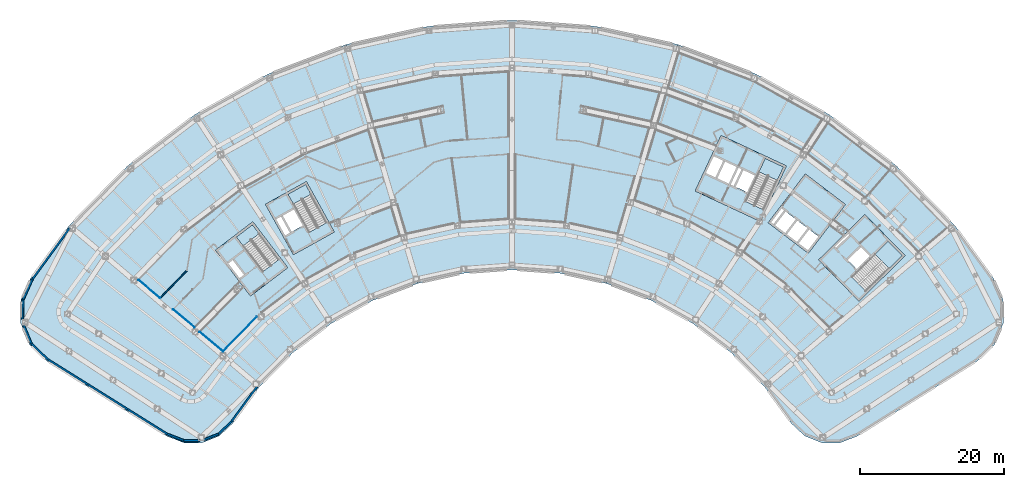
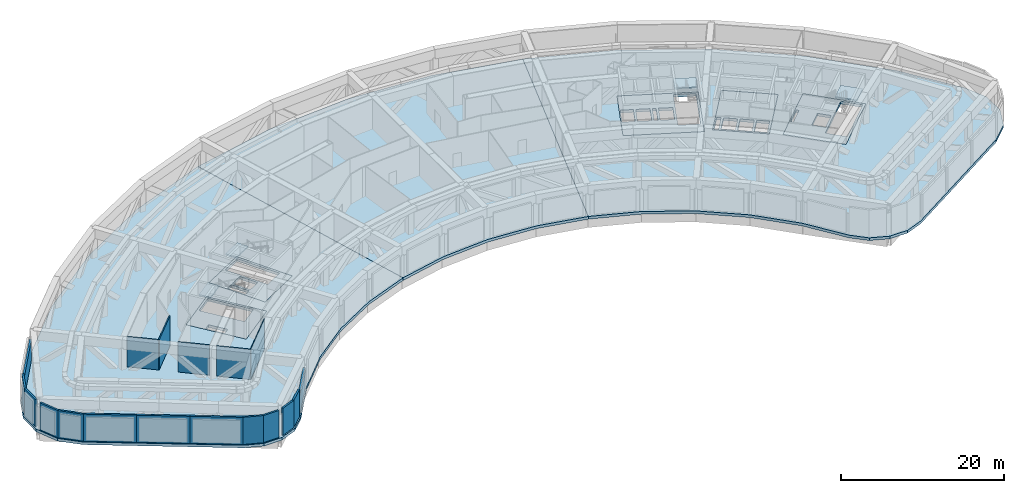
# One storey, part 9 of 30: 18 walls, 12 slabs, 4 elements without a shape of their own.
"""IFC4 building model written with IfcOpenShell, lengths in metres."""

from ifc_helpers import new_model, si_unit, direction, frame, frame_2d, origin, place, context, subcontext, project, spatial, polyline, rectangle, outline, extrude, material, layer, layer_set, type_object, element, aggregate, save


model = new_model("IFC4")

# Units and contexts
model_context = context("Model", 3, precision=1e-05, world=origin(), true_north=direction((0.0, 1.0)))
body_context = subcontext(model_context, "Body", "Model", "MODEL_VIEW")
ifc_project = project(units=[si_unit("LENGTHUNIT", "METRE"), si_unit("AREAUNIT", "SQUARE_METRE"), si_unit("VOLUMEUNIT", "CUBIC_METRE"), si_unit("PLANEANGLEUNIT", "RADIAN"), si_unit("MASSUNIT", "GRAM", prefix="KILO")], contexts=[model_context])

# Site, building, storey
site_placement = place(None, origin())
site = spatial("IfcSite", under=ifc_project, at=site_placement, CompositionType="ELEMENT")
building_placement = place(site_placement, origin())
building = spatial("IfcBuilding", under=site, at=building_placement, Name="Tuul Gate Civic Tower", CompositionType="ELEMENT")
storey_placement = place(building_placement, frame((0.0, 0.0, 26.699951171875)))
storey = spatial("IfcBuildingStorey", under=building, at=storey_placement, Name="Plant and refuge floor 1", CompositionType="ELEMENT", Elevation=26.699951171875)

# Slabs
ifc_material_1 = material(Name="Concrete C40/50", Category="concrete")
ifc_layer_1 = layer(ifc_material_1, 0.39990234375)
ifc_layer_set_1 = layer_set([ifc_layer_1], Name="Concrete C40/50")
slab_type_1 = type_object("IfcSlabType", Name="Core floor slab 400", PredefinedType="FLOOR", material=ifc_layer_set_1)
slab_1_placement = place(storey_placement, frame((0.0, 0.0, -0.400146484375)))
element("IfcSlab", 1, at=slab_1_placement, inside=storey, type_object=slab_type_1, Name="FLOOR SLAB", PredefinedType="FLOOR", context=body_context, shape_type="SweptSolid", body=[
    extrude(outline(polyline([(-31.10009765625, -13.7890625), (-35.946044921875, -7.423828125), (-41.11767578125, -11.361572265625), (-36.271484375, -17.726806640625), (-31.10009765625, -13.7890625)]), holes=[polyline([(-37.19287109375, -14.783203125), (-38.737548828125, -12.75439453125), (-39.45361328125, -13.299560546875), (-37.908935546875, -15.328369140625), (-37.19287109375, -14.783203125)]), polyline([(-32.33935546875, -12.65771484375), (-34.56591796875, -14.352783203125), (-38.229736328125, -9.54052734375), (-36.003173828125, -7.845458984375), (-32.33935546875, -12.65771484375)])]), origin(), (0.0, 0.0, 1.0), 0.400146484375),
])
slab_2_placement = place(storey_placement, frame((0.0, 0.0, -0.400146484375)))
element("IfcSlab", 2, at=slab_2_placement, inside=storey, type_object=slab_type_1, Name="FLOOR SLAB", PredefinedType="FLOOR", context=body_context, shape_type="SweptSolid", body=[
    extrude(outline(polyline([(-24.638916015625, -8.846923828125), (-28.51708984375, -1.849853515625), (-34.2021484375, -5.0009765625), (-30.32421875, -11.998046875), (-24.638916015625, -8.846923828125)]), holes=[polyline([(-29.0185546875, -7.958740234375), (-30.254638671875, -5.728515625), (-31.785400390625, -6.576904296875), (-30.54931640625, -8.80712890625), (-29.0185546875, -7.958740234375)]), polyline([(-30.8115234375, -8.95263671875), (-32.047607421875, -6.72216796875), (-32.8349609375, -7.158447265625), (-31.5986328125, -9.388916015625), (-30.8115234375, -8.95263671875)]), polyline([(-25.702392578125, -7.548828125), (-28.14990234375, -8.905517578125), (-31.08203125, -3.615234375), (-28.63427734375, -2.2587890625), (-25.702392578125, -7.548828125)])]), origin(), (0.0, 0.0, 1.0), 0.400146484375),
])
slab_3_placement = place(storey_placement, frame((0.0, 0.0, -0.400146484375)))
element("IfcSlab", 3, at=slab_3_placement, inside=storey, type_object=slab_type_1, Name="FLOOR SLAB", PredefinedType="FLOOR", context=body_context, shape_type="SweptSolid", body=[
    extrude(outline(polyline([(48.117919921875, -18.43310546875), (54.545166015625, -12.1328125), (48.945068359375, -6.419921875), (42.517822265625, -12.719970703125), (48.117919921875, -18.43310546875)]), holes=[polyline([(47.808837890625, -13.974853515625), (49.6298828125, -12.18994140625), (48.40478515625, -10.940185546875), (46.583984375, -12.72509765625), (47.808837890625, -13.974853515625)]), polyline([(44.93896484375, -11.046875), (46.760009765625, -9.261962890625), (46.514892578125, -9.011962890625), (44.69384765625, -10.797119140625), (44.93896484375, -11.046875)]), polyline([(49.086181640625, -17.062744140625), (47.12744140625, -15.064208984375), (52.160888671875, -10.130126953125), (54.11962890625, -12.128662109375), (49.086181640625, -17.062744140625)])]), origin(), (0.0, 0.0, 1.0), 0.400146484375),
])
slab_4_placement = place(storey_placement, frame((0.0, 0.0, -0.400146484375)))
element("IfcSlab", 4, at=slab_4_placement, inside=storey, type_object=slab_type_1, Name="FLOOR SLAB", PredefinedType="FLOOR", context=body_context, shape_type="SweptSolid", body=[
    extrude(outline(polyline([(34.465087890625, -7.385986328125), (38.056884765625, 0.31787109375), (28.993896484375, 4.543701171875), (25.40185546875, -3.159912109375), (34.465087890625, -7.385986328125)]), holes=[polyline([(32.60888671875, -3.32080078125), (33.6865234375, -1.009765625), (32.1005859375, -0.27001953125), (31.02294921875, -2.581298828125), (32.60888671875, -3.32080078125)]), polyline([(30.0712890625, -2.137451171875), (31.14892578125, 0.173583984375), (29.562744140625, 0.9130859375), (28.4853515625, -1.39794921875), (30.0712890625, -2.137451171875)]), polyline([(30.751220703125, -2.454345703125), (31.82861328125, -0.143310546875), (31.4208984375, 0.046875), (30.34326171875, -2.264404296875), (30.751220703125, -2.454345703125)]), polyline([(28.21337890625, -1.27099609375), (29.291015625, 1.0400390625), (27.8408203125, 1.71630859375), (26.76318359375, -0.594970703125), (28.21337890625, -1.27099609375)]), polyline([(34.889892578125, -5.7626953125), (32.353759765625, -4.580078125), (35.120849609375, 1.354736328125), (37.6572265625, 0.17236328125), (34.889892578125, -5.7626953125)])]), origin(), (0.0, 0.0, 1.0), 0.400146484375),
])
ifc_material_2 = material(Name="Concrete C40/50", Category="concrete")
ifc_layer_2 = layer(ifc_material_2, 0.39990234375)
ifc_layer_set_2 = layer_set([ifc_layer_2], Name="Concrete C40/50")
slab_type_2 = type_object("IfcSlabType", Name="Core floor slab 400 non-bearing", PredefinedType="FLOOR", material=ifc_layer_set_2)
slab_5_placement = place(storey_placement, frame((0.0, 0.0, -0.400146484375)))
element("IfcSlab", 5, at=slab_5_placement, inside=storey, type_object=slab_type_2, Name="FLOOR SLAB", PredefinedType="FLOOR", context=body_context, shape_type="SweptSolid", body=[
    extrude(outline(polyline([(41.10107421875, -11.797119140625), (46.25, -5.033935546875), (40.680908203125, -0.79296875), (35.531982421875, -7.555908203125), (41.10107421875, -11.797119140625)]), holes=[polyline([(41.044189453125, -11.37646484375), (42.497802734375, -9.467041015625), (41.22509765625, -8.49755859375), (39.77099609375, -10.4072265625), (41.044189453125, -11.37646484375)]), polyline([(39.532470703125, -10.225341796875), (40.986328125, -8.31591796875), (39.593994140625, -7.255615234375), (38.14013671875, -9.165283203125), (39.532470703125, -10.225341796875)]), polyline([(37.901611328125, -8.9833984375), (39.35546875, -7.073974609375), (37.963134765625, -6.013671875), (36.50927734375, -7.923095703125), (37.901611328125, -8.9833984375)]), polyline([(36.1796875, -7.860595703125), (37.724609375, -5.831787109375), (37.286865234375, -5.49853515625), (35.7421875, -7.527587890625), (36.1796875, -7.860595703125)])]), origin(), (0.0, 0.0, 1.0), 0.400146484375),
])

# Stair, slab
ifc_material_3 = material(Name="Concrete C40/50", Category="concrete")
stair_type = type_object("IfcStairType", Name="Exit stair", PredefinedType="HALF_TURN_STAIR", material=ifc_material_3)
stair_1_placement = place(storey_placement, origin())
stair_1 = element("IfcStair", 6, at=stair_1_placement, inside=storey, type_object=stair_type, Name="Plant and refuge floor 1 ST-1", PredefinedType="HALF_TURN_STAIR")
ifc_material_4 = material(Name="Concrete C40/50", Category="concrete")
ifc_layer_3 = layer(ifc_material_4, 0.199951171875)
ifc_layer_set_3 = layer_set([ifc_layer_3], Name="Concrete C40/50")
slab_type_3 = type_object("IfcSlabType", Name="Exit stair landing", PredefinedType="LANDING", material=ifc_layer_set_3)
slab_6_placement = place(storey_placement, frame((0.0, 0.0, 2.199951171875)))
slab_6 = element("IfcSlab", 7, at=slab_6_placement, type_object=slab_type_3, Name="ST-1 landing 1", PredefinedType="LANDING", context=body_context, shape_type="SweptSolid", body=[
    extrude(outline(polyline([(-35.06298828125, -9.07763671875), (-37.2919921875, -10.774658203125), (-38.23193359375, -9.540283203125), (-36.0029296875, -7.843017578125), (-35.06298828125, -9.07763671875)])), origin(), (0.0, 0.0, 1.0), 0.2001953125),
])
aggregate(stair_1, [slab_6])

stair_2_placement = place(storey_placement, origin())
stair_2 = element("IfcStair", 8, at=stair_2_placement, inside=storey, type_object=stair_type, Name="Plant and refuge floor 1 ST-2", PredefinedType="HALF_TURN_STAIR")
slab_7_placement = place(storey_placement, frame((0.0, 0.0, 2.199951171875)))
slab_7 = element("IfcSlab", 9, at=slab_7_placement, type_object=slab_type_3, Name="ST-2 landing 1", PredefinedType="LANDING", context=body_context, shape_type="SweptSolid", body=[
    extrude(outline(polyline([(-27.881591796875, -3.613525390625), (-30.33203125, -4.9716796875), (-31.084228515625, -3.61474609375), (-28.6337890625, -2.256591796875), (-27.881591796875, -3.613525390625)])), origin(), (0.0, 0.0, 1.0), 0.2001953125),
])
aggregate(stair_2, [slab_7])

stair_3_placement = place(storey_placement, origin())
stair_3 = element("IfcStair", 10, at=stair_3_placement, inside=storey, type_object=stair_type, Name="Plant and refuge floor 1 ST-3", PredefinedType="HALF_TURN_STAIR")
slab_8_placement = place(storey_placement, frame((0.0, 0.0, 2.199951171875)))
slab_8 = element("IfcSlab", 11, at=slab_8_placement, type_object=slab_type_3, Name="ST-3 landing 1", PredefinedType="LANDING", context=body_context, shape_type="SweptSolid", body=[
    extrude(outline(polyline([(52.2998046875, -13.914794921875), (50.338623046875, -11.9140625), (52.160888671875, -10.1279296875), (54.1220703125, -12.128662109375), (52.2998046875, -13.914794921875)])), origin(), (0.0, 0.0, 1.0), 0.2001953125),
])
aggregate(stair_3, [slab_8])

stair_4_placement = place(storey_placement, origin())
stair_4 = element("IfcStair", 12, at=stair_4_placement, inside=storey, type_object=stair_type, Name="Plant and refuge floor 1 ST-4", PredefinedType="HALF_TURN_STAIR")
slab_9_placement = place(storey_placement, frame((0.0, 0.0, 2.199951171875)))
slab_9 = element("IfcSlab", 13, at=slab_9_placement, type_object=slab_type_3, Name="ST-4 landing 1", PredefinedType="LANDING", context=body_context, shape_type="SweptSolid", body=[
    extrude(outline(polyline([(36.792236328125, -1.686279296875), (34.253173828125, -0.50244140625), (35.1201171875, 1.35693359375), (37.659423828125, 0.173095703125), (36.792236328125, -1.686279296875)])), origin(), (0.0, 0.0, 1.0), 0.2001953125),
])
aggregate(stair_4, [slab_9])

# Slabs
ifc_material_5 = material(Name="Concrete C35/45", Category="concrete")
ifc_layer_4 = layer(ifc_material_5, 0.39990234375)
ifc_layer_set_4 = layer_set([ifc_layer_4], Name="Concrete C35/45")
slab_type_4 = type_object("IfcSlabType", Name="STR-FLOOR-SLAB-400", PredefinedType="FLOOR", material=ifc_layer_set_4)
slab_10_placement = place(storey_placement, frame((0.0, 0.0, -0.400146484375)))
element("IfcSlab", 14, at=slab_10_placement, inside=storey, type_object=slab_type_4, Name="Plant and refuge floor 1/slab/W", PredefinedType="FLOOR", context=body_context, shape_type="SweptSolid", body=[
    extrude(outline(polyline([(-19.304931640625, -18.3291015625), (-13.097900390625, -15.98193359375), (-22.964111328125, 17.1708984375), (-33.844970703125, 13.056884765625), (-44.02001953125, 7.4169921875), (-53.27587890625, 0.368896484375), (-61.419921875, -7.93896484375), (-66.757080078125, -15.24609375), (-68.10302734375, -18.218017578125), (-68.15087890625, -21.48095703125), (-66.89208984375, -24.490966796875), (-64.535888671875, -26.7490234375), (-47.85888671875, -37.1689453125), (-45.4990234375, -38.087890625), (-42.967041015625, -38.0791015625), (-40.613037109375, -37.14404296875), (-38.763916015625, -35.4130859375), (-35.032958984375, -30.304931640625), (-30.387939453125, -25.56591796875), (-25.10888671875, -21.5458984375), (-19.304931640625, -18.3291015625)]), holes=[polyline([(-31.10009765625, -13.7890625), (-36.27197265625, -17.72705078125), (-41.117919921875, -11.362060546875), (-35.946044921875, -7.424072265625), (-31.10009765625, -13.7890625)]), polyline([(-24.638916015625, -8.846923828125), (-30.323974609375, -11.998046875), (-34.201904296875, -5.0009765625), (-28.51708984375, -1.85009765625), (-24.638916015625, -8.846923828125)])]), origin(), (0.0, 0.0, 1.0), 0.400146484375),
])
slab_11_placement = place(storey_placement, frame((0.0, 0.0, -0.400146484375)))
element("IfcSlab", 15, at=slab_11_placement, inside=storey, type_object=slab_type_4, Name="Plant and refuge floor 1/slab/M", PredefinedType="FLOOR", context=body_context, shape_type="SweptSolid", body=[
    extrude(outline(polyline([(13.097900390625, -15.98193359375), (22.964111328125, 17.1708984375), (11.60302734375, 19.675048828125), (0.0, 20.51611328125), (-11.60302734375, 19.675048828125), (-22.964111328125, 17.1708984375), (-13.097900390625, -15.98193359375), (-6.617919921875, -14.553955078125), (0.0, -14.074951171875), (6.617919921875, -14.553955078125), (13.097900390625, -15.98193359375)])), origin(), (0.0, 0.0, 1.0), 0.400146484375),
])
slab_12_placement = place(storey_placement, frame((0.0, 0.0, -0.400146484375)))
element("IfcSlab", 16, at=slab_12_placement, inside=storey, type_object=slab_type_4, Name="Plant and refuge floor 1/slab/E", PredefinedType="FLOOR", context=body_context, shape_type="SweptSolid", body=[
    extrude(outline(polyline([(45.4990234375, -38.087890625), (47.85888671875, -37.1689453125), (64.535888671875, -26.7490234375), (66.89208984375, -24.490966796875), (68.15087890625, -21.48095703125), (68.10302734375, -18.218017578125), (66.757080078125, -15.24609375), (61.419921875, -7.93896484375), (53.27587890625, 0.368896484375), (44.02001953125, 7.4169921875), (33.844970703125, 13.056884765625), (22.964111328125, 17.1708984375), (13.097900390625, -15.98193359375), (19.304931640625, -18.3291015625), (25.10888671875, -21.5458984375), (30.387939453125, -25.56591796875), (35.032958984375, -30.304931640625), (38.763916015625, -35.4130859375), (40.613037109375, -37.14404296875), (42.967041015625, -38.0791015625), (45.4990234375, -38.087890625)]), holes=[polyline([(48.117919921875, -18.43310546875), (42.51806640625, -12.719970703125), (48.945068359375, -6.419921875), (54.544921875, -12.133056640625), (48.117919921875, -18.43310546875)]), polyline([(35.531982421875, -7.555908203125), (40.680908203125, -0.79296875), (46.25, -5.033935546875), (41.10107421875, -11.797119140625), (35.531982421875, -7.555908203125)]), polyline([(25.402099609375, -3.159912109375), (28.993896484375, 4.5439453125), (38.056884765625, 0.318115234375), (34.465087890625, -7.385986328125), (25.402099609375, -3.159912109375)])]), origin(), (0.0, 0.0, 1.0), 0.400146484375),
])

# Walls
ifc_material_6 = material(Name="Gypsum board partition")
ifc_layer_5 = layer(ifc_material_6, 0.14990234375)
ifc_layer_set_5 = layer_set([ifc_layer_5], Name="Gypsum board partition")
wall_type_1 = type_object("IfcWallType", Name="Corridor wall P150", PredefinedType="PARTITIONING", material=ifc_layer_set_5)
wall_1_placement = place(storey_placement, frame((-48.82861328125, -18.021728515625, 0.0), z_axis=(0.0, 0.0, 1.0), x_axis=(0.700011629451, 0.714131443527, 0.0)))
element("IfcWall", 17, at=wall_1_placement, inside=storey, type_object=wall_type_1, Name="p053", PredefinedType="PARTITIONING", context=body_context, shape_type="SweptSolid", body=[
    extrude(rectangle(XDim=5.30810546875, YDim=0.14990234375, at=frame_2d((2.654052734375, 0.0))), origin(), (0.0, 0.0, 1.0), 4.5),
])
ifc_material_7 = material(Name="Precast concrete C40/50", Category="concrete")
ifc_layer_6 = layer(ifc_material_7, 0.25)
ifc_layer_set_6 = layer_set([ifc_layer_6], Name="Precast concrete C40/50")
wall_type_2 = type_object("IfcWallType", Name="External wall", PredefinedType="STANDARD", material=ifc_layer_set_6)
wall_2_placement = place(storey_placement, frame((-66.522216796875, -15.385498046875, 0.0), z_axis=(0.0, 0.0, 1.0), x_axis=(-0.412481289983, -0.910966072592, 0.0)))
element("IfcWall", 18, at=wall_2_placement, inside=storey, type_object=wall_type_2, Name="External wall", PredefinedType="STANDARD", context=body_context, shape_type="SweptSolid", body=[
    extrude(rectangle(XDim=3.2021484375, YDim=0.25, at=frame_2d((1.60107421875, 0.0))), origin(), (0.0, 0.0, 1.0), 4.050048828125),
])
wall_3_placement = place(storey_placement, frame((-67.83203125, -18.2529296875, 0.0), z_axis=(0.0, 0.0, 1.0), x_axis=(-0.014660653223, -0.999892526848, 0.0)))
element("IfcWall", 19, at=wall_3_placement, inside=storey, type_object=wall_type_2, Name="External wall", PredefinedType="STANDARD", context=body_context, shape_type="SweptSolid", body=[
    extrude(rectangle(XDim=2.71435546875, YDim=0.25, at=frame_2d((1.357177734375, 0.0))), origin(), (0.0, 0.0, 1.0), 4.050048828125),
])
wall_4_placement = place(storey_placement, frame((-67.721435546875, -21.8046875, 0.0), z_axis=(0.0, 0.0, 1.0), x_axis=(0.38572970374, -0.922611833683, 0.0)))
element("IfcWall", 20, at=wall_4_placement, inside=storey, type_object=wall_type_2, Name="External wall", PredefinedType="STANDARD", context=body_context, shape_type="SweptSolid", body=[
    extrude(rectangle(XDim=2.7685546875, YDim=0.25, at=frame_2d((1.38427734375, 0.0))), origin(), (0.0, 0.0, 1.0), 4.050048828125),
])
wall_5_placement = place(storey_placement, frame((-66.6826171875, -24.316650390625, 0.0), z_axis=(0.0, 0.0, 1.0), x_axis=(0.722378510216, -0.69149785826, 0.0)))
element("IfcWall", 21, at=wall_5_placement, inside=storey, type_object=wall_type_2, Name="External wall", PredefinedType="STANDARD", context=body_context, shape_type="SweptSolid", body=[
    extrude(rectangle(XDim=3.201904296875, YDim=0.25, at=frame_2d((1.60107421875, 0.0))), origin(), (0.0, 0.0, 1.0), 4.050048828125),
])
for number, where, z_axis, x_axis, name in (
    (22, (-64.3896484375, -26.514892578125, 0.0), (0.0, 0.0, 1.0), (0.84801510827, -0.529972052232, 0.0), "External wall"),
    (23, (-58.8525390625, -29.975341796875, 0.0), (0.0, 0.0, 1.0), (0.848042412856, -0.529928359306, 0.0), "External wall"),
):
    element("IfcWall", number, at=place(storey_placement, frame(where, z_axis=z_axis, x_axis=x_axis)), inside=storey, type_object=wall_type_2, Name=name, PredefinedType="STANDARD", context=body_context, shape_type="SweptSolid", body=[
        extrude(rectangle(XDim=6.529541015625, YDim=0.25, at=frame_2d((3.2646484375, 0.0))), origin(), (0.0, 0.0, 1.0), 4.050048828125),
    ])
wall_6_placement = place(storey_placement, frame((-53.315185546875, -33.435546875, 0.0), z_axis=(0.0, 0.0, 1.0), x_axis=(0.848025609636, -0.529955248489, 0.0)))
element("IfcWall", 24, at=wall_6_placement, inside=storey, type_object=wall_type_2, Name="External wall", PredefinedType="STANDARD", context=body_context, shape_type="SweptSolid", body=[
    extrude(rectangle(XDim=6.52978515625, YDim=0.25, at=frame_2d((3.264892578125, 0.0))), origin(), (0.0, 0.0, 1.0), 4.050048828125),
])
wall_7_placement = place(storey_placement, frame((-47.798583984375, -36.885498046875, 0.0), z_axis=(0.0, 0.0, 1.0), x_axis=(0.931986397936, -0.36249324692, 0.0)))
element("IfcWall", 25, at=wall_7_placement, inside=storey, type_object=wall_type_2, Name="External wall", PredefinedType="STANDARD", context=body_context, shape_type="SweptSolid", body=[
    extrude(rectangle(XDim=2.507568359375, YDim=0.25, at=frame_2d((1.25390625, 0.0))), origin(), (0.0, 0.0, 1.0), 4.050048828125),
])
wall_8_placement = place(storey_placement, frame((-45.50732421875, -37.785888671875, 0.0), z_axis=(0.0, 0.0, 1.0), x_axis=(0.999995143276, 0.003116636689, 0.0)))
element("IfcWall", 26, at=wall_8_placement, inside=storey, type_object=wall_type_2, Name="External wall", PredefinedType="STANDARD", context=body_context, shape_type="SweptSolid", body=[
    extrude(rectangle(XDim=2.193359375, YDim=0.25, at=frame_2d((1.0966796875, 0.0))), origin(), (0.0, 0.0, 1.0), 4.050048828125),
])
wall_9_placement = place(storey_placement, frame((-42.702880859375, -37.650146484375, 0.0), z_axis=(0.0, 0.0, 1.0), x_axis=(0.929442822885, 0.36896617594, 0.0)))
element("IfcWall", 27, at=wall_9_placement, inside=storey, type_object=wall_type_2, Name="External wall", PredefinedType="STANDARD", context=body_context, shape_type="SweptSolid", body=[
    extrude(rectangle(XDim=2.136474609375, YDim=0.25, at=frame_2d((1.068359375, 0.0))), origin(), (0.0, 0.0, 1.0), 4.050048828125),
])
wall_10_placement = place(storey_placement, frame((-40.75634765625, -36.88671875, 0.0), z_axis=(0.0, 0.0, 1.0), x_axis=(0.729855985574, 0.683600936455, 0.0)))
element("IfcWall", 28, at=wall_10_placement, inside=storey, type_object=wall_type_2, Name="External wall", PredefinedType="STANDARD", context=body_context, shape_type="SweptSolid", body=[
    extrude(rectangle(XDim=2.507080078125, YDim=0.25, at=frame_2d((1.25341796875, 0.0))), origin(), (0.0, 0.0, 1.0), 4.050048828125),
])
ifc_material_8 = material(Name="Precast concrete C40/50", Category="concrete")
ifc_layer_7 = layer(ifc_material_8, 0.25)
ifc_layer_set_7 = layer_set([ifc_layer_7], Name="Precast concrete C40/50")
wall_type_3 = type_object("IfcWallType", Name="External wall 3100 HIGH", PredefinedType="STANDARD", material=ifc_layer_set_7)
wall_11_placement = place(storey_placement, frame((-61.361083984375, -8.324462890625, 0.0), z_axis=(0.0, 0.0, 1.0), x_axis=(-0.589856775051, -0.807507885365, 0.0)))
element("IfcWall", 29, at=wall_11_placement, inside=storey, type_object=wall_type_3, Name="External wall", PredefinedType="STANDARD", context=body_context, shape_type="SweptSolid", body=[
    extrude(rectangle(XDim=8.771728515625, YDim=0.25, at=frame_2d((4.3857421875, 0.0))), origin(), (0.0, 0.0, 1.0), 3.10009765625),
])
wall_12_placement = place(storey_placement, frame((-38.94189453125, -35.190185546875, 0.0), z_axis=(0.0, 0.0, 1.0), x_axis=(0.589757945661, 0.807580067566, 0.0)))
element("IfcWall", 30, at=wall_12_placement, inside=storey, type_object=wall_type_3, Name="External wall", PredefinedType="STANDARD", context=body_context, shape_type="SweptSolid", body=[
    extrude(rectangle(XDim=6.03564453125, YDim=0.25, at=frame_2d((3.017822265625, 0.0))), origin(), (0.0, 0.0, 1.0), 3.10009765625),
])
ifc_material_9 = material(Name="Gypsum board partition")
ifc_layer_8 = layer(ifc_material_9, 0.10009765625)
ifc_layer_set_8 = layer_set([ifc_layer_8], Name="Gypsum board partition")
wall_type_4 = type_object("IfcWallType", Name="Partition P100", PredefinedType="PARTITIONING", material=ifc_layer_set_8)
wall_13_placement = place(storey_placement, frame((-48.82861328125, -18.021728515625, 0.0), z_axis=(0.0, 0.0, 1.0), x_axis=(-0.762815210292, 0.646616543979, 0.0)))
element("IfcWall", 31, at=wall_13_placement, inside=storey, type_object=wall_type_4, Name="p138", PredefinedType="PARTITIONING", context=body_context, shape_type="SweptSolid", body=[
    extrude(rectangle(XDim=3.91015625, YDim=0.10009765625, at=frame_2d((1.955078125, 0.0))), origin(), (0.0, 0.0, 1.0), 4.5),
])
wall_14_placement = place(storey_placement, frame((-35.36083984375, -20.56787109375, 0.0), z_axis=(0.0, 0.0, 1.0), x_axis=(-0.70003578723, -0.714107762594, 0.0)))
element("IfcWall", 32, at=wall_14_placement, inside=storey, type_object=wall_type_4, Name="p145", PredefinedType="PARTITIONING", context=body_context, shape_type="SweptSolid", body=[
    extrude(rectangle(XDim=6.78369140625, YDim=0.10009765625, at=frame_2d((3.391845703125, 0.0))), origin(), (0.0, 0.0, 1.0), 4.5),
])
wall_15_placement = place(storey_placement, frame((-40.109619140625, -25.412109375, 0.0), z_axis=(0.0, 0.0, 1.0), x_axis=(-0.762838403139, 0.646589182322, 0.0)))
element("IfcWall", 33, at=wall_15_placement, inside=storey, type_object=wall_type_4, Name="p146", PredefinedType="PARTITIONING", context=body_context, shape_type="SweptSolid", body=[
    extrude(rectangle(XDim=4.210693359375, YDim=0.10009765625, at=frame_2d((2.10546875, 0.0))), origin(), (0.0, 0.0, 1.0), 4.5),
])
wall_16_placement = place(storey_placement, frame((-44.010009765625, -22.106201171875, 0.0), z_axis=(0.0, 0.0, 1.0), x_axis=(-0.762836622052, 0.646591283623, 0.0)))
element("IfcWall", 34, at=wall_16_placement, inside=storey, type_object=wall_type_4, Name="p150", PredefinedType="PARTITIONING", context=body_context, shape_type="SweptSolid", body=[
    extrude(rectangle(XDim=3.91064453125, YDim=0.10009765625, at=frame_2d((1.955322265625, 0.0))), origin(), (0.0, 0.0, 1.0), 4.5),
])

save(model, "model.ifc")
